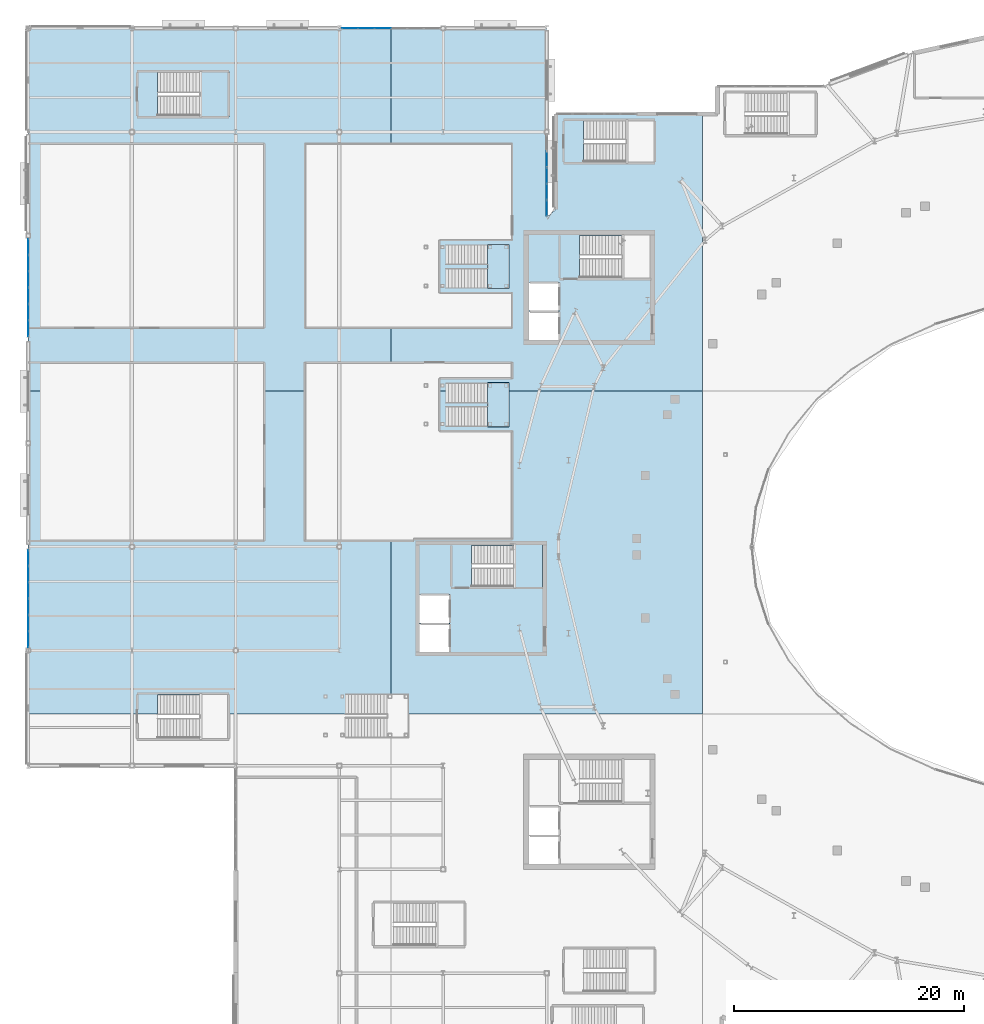
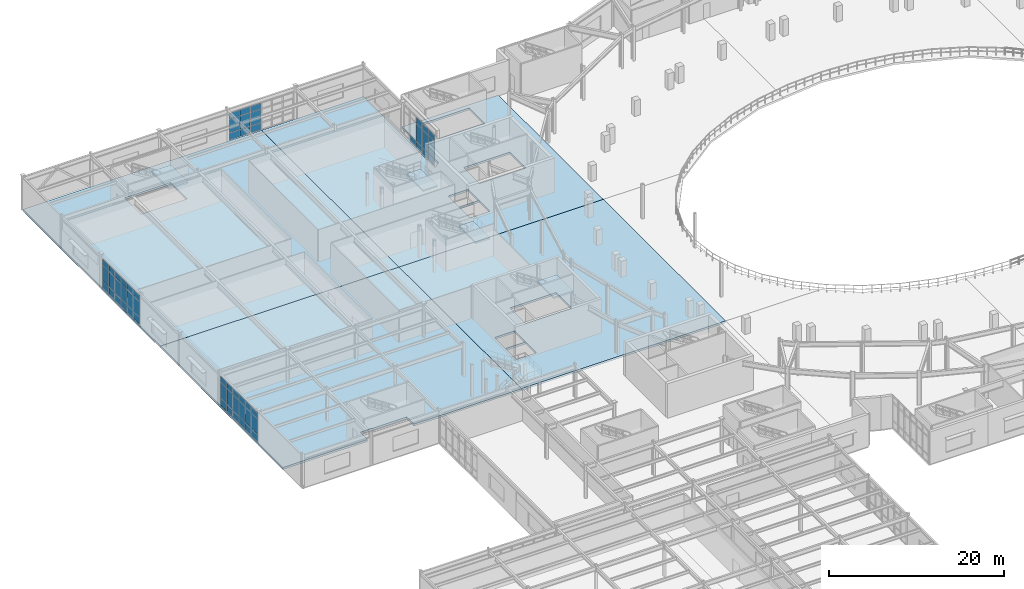
# One storey, part 52 of 84: 55 plates, 8 slabs, 8 elements without a shape of their own.
"""IFC4 building model written with IfcOpenShell, lengths in metres."""

from ifc_helpers import new_model, si_unit, direction, frame, origin, origin_2d, place, context, subcontext, project, spatial, polyline, rectangle, outline, extrude, material, layer, layer_set, type_object, element, aggregate, save


model = new_model("IFC4")

# Units and contexts
model_context = context("Model", 3, precision=1e-05, world=origin(), true_north=direction((0.0, 1.0)))
body_context = subcontext(model_context, "Body", "Model", "MODEL_VIEW")
ifc_project = project(units=[si_unit("LENGTHUNIT", "METRE"), si_unit("AREAUNIT", "SQUARE_METRE"), si_unit("VOLUMEUNIT", "CUBIC_METRE"), si_unit("PLANEANGLEUNIT", "RADIAN"), si_unit("MASSUNIT", "GRAM", prefix="KILO")], contexts=[model_context])

# Site, building, storey
site_placement = place(None, origin())
site = spatial("IfcSite", under=ifc_project, at=site_placement, CompositionType="ELEMENT")
building_placement = place(site_placement, origin())
building = spatial("IfcBuilding", under=site, at=building_placement, Name="Glasvene Arena", CompositionType="ELEMENT")
storey_placement = place(building_placement, frame((0.0, 0.0, 10.199951171875)))
storey = spatial("IfcBuildingStorey", under=building, at=storey_placement, Name="L02", CompositionType="ELEMENT", Elevation=10.199951171875)

# Curtain wall, plates
ifc_material_1 = material(Name="Low-emissivity laminated double glazing", Category="glass")
curtain_wall_type_1 = type_object("IfcCurtainWallType", Name="CW-FAC-L01-851x416", PredefinedType="USERDEFINED", material=ifc_material_1)
curtain_wall_1_placement = place(storey_placement, frame((0.0, 64.2451171875, 0.0)))
curtain_wall_1 = element("IfcCurtainWall", 1, at=curtain_wall_1_placement, inside=storey, type_object=curtain_wall_type_1, Name="Unitised curtain wall CW-F-L02-180-0-685-1", ObjectType="CURTAIN WALL", PredefinedType="USERDEFINED")
ifc_layer_1 = layer(ifc_material_1, 0.028076171875)
ifc_layer_set_1 = layer_set([ifc_layer_1], Name="Low-emissivity laminated double glazing")
plate_type = type_object("IfcPlateType", Name="CW-GLZ-28", PredefinedType="CURTAIN_PANEL", material=ifc_layer_set_1)
plate_1_placement = place(storey_placement, frame((0.0, 64.967041015625, 0.10986328125), z_axis=(0.0, 0.0, 1.0), x_axis=(0.0, 1.0, 0.0)))
plate_1 = element("IfcPlate", 2, at=plate_1_placement, type_object=plate_type, Name="CW-016 panel 1.1", PredefinedType="CURTAIN_PANEL", context=body_context, shape_type="SweptSolid", body=[
    extrude(rectangle(XDim=1.34375, YDim=0.028076171875, at=origin_2d()), origin(), (0.0, 0.0, 1.0), 0.965087890625),
])
plate_2_placement = place(storey_placement, frame((0.0, 64.967041015625, 1.125), z_axis=(0.0, 0.0, 1.0), x_axis=(0.0, 1.0, 0.0)))
plate_2 = element("IfcPlate", 3, at=plate_2_placement, type_object=plate_type, Name="CW-016 panel 1.2", PredefinedType="CURTAIN_PANEL", context=body_context, shape_type="SweptSolid", body=[
    extrude(rectangle(XDim=1.34375, YDim=0.028076171875, at=origin_2d()), origin(), (0.0, 0.0, 1.0), 2.1650390625),
])
plate_3_placement = place(storey_placement, frame((0.0, 64.967041015625, 3.33984375), z_axis=(0.0, 0.0, 1.0), x_axis=(0.0, 1.0, 0.0)))
plate_3 = element("IfcPlate", 4, at=plate_3_placement, type_object=plate_type, Name="CW-016 panel 1.3", PredefinedType="CURTAIN_PANEL", context=body_context, shape_type="SweptSolid", body=[
    extrude(rectangle(XDim=1.34375, YDim=0.028076171875, at=origin_2d()), origin(), (0.0, 0.0, 1.0), 0.824951171875),
])
plate_4_placement = place(storey_placement, frame((0.0, 66.373291015625, 0.10986328125), z_axis=(0.0, 0.0, 1.0), x_axis=(0.0, 1.0, 0.0)))
plate_4 = element("IfcPlate", 5, at=plate_4_placement, type_object=plate_type, Name="CW-016 panel 2.1", PredefinedType="CURTAIN_PANEL", context=body_context, shape_type="SweptSolid", body=[
    extrude(rectangle(XDim=1.368896484375, YDim=0.028076171875, at=origin_2d()), origin(), (0.0, 0.0, 1.0), 0.965087890625),
])
plate_5_placement = place(storey_placement, frame((0.0, 66.373291015625, 1.125), z_axis=(0.0, 0.0, 1.0), x_axis=(0.0, 1.0, 0.0)))
plate_5 = element("IfcPlate", 6, at=plate_5_placement, type_object=plate_type, Name="CW-016 panel 2.2", PredefinedType="CURTAIN_PANEL", context=body_context, shape_type="SweptSolid", body=[
    extrude(rectangle(XDim=1.368896484375, YDim=0.028076171875, at=origin_2d()), origin(), (0.0, 0.0, 1.0), 2.1650390625),
])
plate_6_placement = place(storey_placement, frame((0.0, 66.373291015625, 3.33984375), z_axis=(0.0, 0.0, 1.0), x_axis=(0.0, 1.0, 0.0)))
plate_6 = element("IfcPlate", 7, at=plate_6_placement, type_object=plate_type, Name="CW-016 panel 2.3", PredefinedType="CURTAIN_PANEL", context=body_context, shape_type="SweptSolid", body=[
    extrude(rectangle(XDim=1.368896484375, YDim=0.028076171875, at=origin_2d()), origin(), (0.0, 0.0, 1.0), 0.824951171875),
])
plate_7_placement = place(storey_placement, frame((0.0, 67.792236328125, 0.10986328125), z_axis=(0.0, 0.0, 1.0), x_axis=(0.0, 1.0, 0.0)))
plate_7 = element("IfcPlate", 8, at=plate_7_placement, type_object=plate_type, Name="CW-016 panel 3.1", PredefinedType="CURTAIN_PANEL", context=body_context, shape_type="SweptSolid", body=[
    extrude(rectangle(XDim=1.368896484375, YDim=0.028076171875, at=origin_2d()), origin(), (0.0, 0.0, 1.0), 0.965087890625),
])
plate_8_placement = place(storey_placement, frame((0.0, 67.792236328125, 1.125), z_axis=(0.0, 0.0, 1.0), x_axis=(0.0, 1.0, 0.0)))
plate_8 = element("IfcPlate", 9, at=plate_8_placement, type_object=plate_type, Name="CW-016 panel 3.2", PredefinedType="CURTAIN_PANEL", context=body_context, shape_type="SweptSolid", body=[
    extrude(rectangle(XDim=1.368896484375, YDim=0.028076171875, at=origin_2d()), origin(), (0.0, 0.0, 1.0), 2.1650390625),
])
plate_9_placement = place(storey_placement, frame((0.0, 67.792236328125, 3.33984375), z_axis=(0.0, 0.0, 1.0), x_axis=(0.0, 1.0, 0.0)))
plate_9 = element("IfcPlate", 10, at=plate_9_placement, type_object=plate_type, Name="CW-016 panel 3.3", PredefinedType="CURTAIN_PANEL", context=body_context, shape_type="SweptSolid", body=[
    extrude(rectangle(XDim=1.368896484375, YDim=0.028076171875, at=origin_2d()), origin(), (0.0, 0.0, 1.0), 0.824951171875),
])
plate_10_placement = place(storey_placement, frame((0.0, 69.2109375, 0.10986328125), z_axis=(0.0, 0.0, 1.0), x_axis=(0.0, 1.0, 0.0)))
plate_10 = element("IfcPlate", 11, at=plate_10_placement, type_object=plate_type, Name="CW-016 panel 4.1", PredefinedType="CURTAIN_PANEL", context=body_context, shape_type="SweptSolid", body=[
    extrude(rectangle(XDim=1.368896484375, YDim=0.028076171875, at=origin_2d()), origin(), (0.0, 0.0, 1.0), 0.965087890625),
])
plate_11_placement = place(storey_placement, frame((0.0, 69.2109375, 1.125), z_axis=(0.0, 0.0, 1.0), x_axis=(0.0, 1.0, 0.0)))
plate_11 = element("IfcPlate", 12, at=plate_11_placement, type_object=plate_type, Name="CW-016 panel 4.2", PredefinedType="CURTAIN_PANEL", context=body_context, shape_type="SweptSolid", body=[
    extrude(rectangle(XDim=1.368896484375, YDim=0.028076171875, at=origin_2d()), origin(), (0.0, 0.0, 1.0), 2.1650390625),
])
plate_12_placement = place(storey_placement, frame((0.0, 69.2109375, 3.33984375), z_axis=(0.0, 0.0, 1.0), x_axis=(0.0, 1.0, 0.0)))
plate_12 = element("IfcPlate", 13, at=plate_12_placement, type_object=plate_type, Name="CW-016 panel 4.3", PredefinedType="CURTAIN_PANEL", context=body_context, shape_type="SweptSolid", body=[
    extrude(rectangle(XDim=1.368896484375, YDim=0.028076171875, at=origin_2d()), origin(), (0.0, 0.0, 1.0), 0.824951171875),
])
plate_13_placement = place(storey_placement, frame((0.0, 70.6298828125, 0.10986328125), z_axis=(0.0, 0.0, 1.0), x_axis=(0.0, 1.0, 0.0)))
plate_13 = element("IfcPlate", 14, at=plate_13_placement, type_object=plate_type, Name="CW-016 panel 5.1", PredefinedType="CURTAIN_PANEL", context=body_context, shape_type="SweptSolid", body=[
    extrude(rectangle(XDim=1.368896484375, YDim=0.028076171875, at=origin_2d()), origin(), (0.0, 0.0, 1.0), 0.965087890625),
])
plate_14_placement = place(storey_placement, frame((0.0, 70.6298828125, 1.125), z_axis=(0.0, 0.0, 1.0), x_axis=(0.0, 1.0, 0.0)))
plate_14 = element("IfcPlate", 15, at=plate_14_placement, type_object=plate_type, Name="CW-016 panel 5.2", PredefinedType="CURTAIN_PANEL", context=body_context, shape_type="SweptSolid", body=[
    extrude(rectangle(XDim=1.368896484375, YDim=0.028076171875, at=origin_2d()), origin(), (0.0, 0.0, 1.0), 2.1650390625),
])
plate_15_placement = place(storey_placement, frame((0.0, 70.6298828125, 3.33984375), z_axis=(0.0, 0.0, 1.0), x_axis=(0.0, 1.0, 0.0)))
plate_15 = element("IfcPlate", 16, at=plate_15_placement, type_object=plate_type, Name="CW-016 panel 5.3", PredefinedType="CURTAIN_PANEL", context=body_context, shape_type="SweptSolid", body=[
    extrude(rectangle(XDim=1.368896484375, YDim=0.028076171875, at=origin_2d()), origin(), (0.0, 0.0, 1.0), 0.824951171875),
])
plate_16_placement = place(storey_placement, frame((0.0, 72.0361328125, 0.10986328125), z_axis=(0.0, 0.0, 1.0), x_axis=(0.0, 1.0, 0.0)))
plate_16 = element("IfcPlate", 17, at=plate_16_placement, type_object=plate_type, Name="CW-016 panel 6.1", PredefinedType="CURTAIN_PANEL", context=body_context, shape_type="SweptSolid", body=[
    extrude(rectangle(XDim=1.34375, YDim=0.028076171875, at=origin_2d()), origin(), (0.0, 0.0, 1.0), 0.965087890625),
])
plate_17_placement = place(storey_placement, frame((0.0, 72.0361328125, 1.125), z_axis=(0.0, 0.0, 1.0), x_axis=(0.0, 1.0, 0.0)))
plate_17 = element("IfcPlate", 18, at=plate_17_placement, type_object=plate_type, Name="CW-016 panel 6.2", PredefinedType="CURTAIN_PANEL", context=body_context, shape_type="SweptSolid", body=[
    extrude(rectangle(XDim=1.34375, YDim=0.028076171875, at=origin_2d()), origin(), (0.0, 0.0, 1.0), 2.1650390625),
])
plate_18_placement = place(storey_placement, frame((0.0, 72.0361328125, 3.33984375), z_axis=(0.0, 0.0, 1.0), x_axis=(0.0, 1.0, 0.0)))
plate_18 = element("IfcPlate", 19, at=plate_18_placement, type_object=plate_type, Name="CW-016 panel 6.3", PredefinedType="CURTAIN_PANEL", context=body_context, shape_type="SweptSolid", body=[
    extrude(rectangle(XDim=1.34375, YDim=0.028076171875, at=origin_2d()), origin(), (0.0, 0.0, 1.0), 0.824951171875),
])
aggregate(curtain_wall_1, [plate_1, plate_2, plate_3, plate_4, plate_5, plate_6, plate_7, plate_8, plate_9, plate_10, plate_11, plate_12, plate_13, plate_14, plate_15, plate_16, plate_17, plate_18])

curtain_wall_2_placement = place(storey_placement, frame((0.0, 91.241943359375, 0.0)))
curtain_wall_2 = element("IfcCurtainWall", 20, at=curtain_wall_2_placement, inside=storey, type_object=curtain_wall_type_1, Name="Unitised curtain wall CW-F-L02-180-0-955-4", ObjectType="CURTAIN WALL", PredefinedType="USERDEFINED")
plate_19_placement = place(storey_placement, frame((0.0, 91.9638671875, 0.10986328125), z_axis=(0.0, 0.0, 1.0), x_axis=(0.0, 1.0, 0.0)))
plate_19 = element("IfcPlate", 21, at=plate_19_placement, type_object=plate_type, Name="CW-016 panel 1.1", PredefinedType="CURTAIN_PANEL", context=body_context, shape_type="SweptSolid", body=[
    extrude(rectangle(XDim=1.34375, YDim=0.028076171875, at=origin_2d()), origin(), (0.0, 0.0, 1.0), 0.965087890625),
])
plate_20_placement = place(storey_placement, frame((0.0, 91.9638671875, 1.125), z_axis=(0.0, 0.0, 1.0), x_axis=(0.0, 1.0, 0.0)))
plate_20 = element("IfcPlate", 22, at=plate_20_placement, type_object=plate_type, Name="CW-016 panel 1.2", PredefinedType="CURTAIN_PANEL", context=body_context, shape_type="SweptSolid", body=[
    extrude(rectangle(XDim=1.34375, YDim=0.028076171875, at=origin_2d()), origin(), (0.0, 0.0, 1.0), 2.1650390625),
])
plate_21_placement = place(storey_placement, frame((0.0, 91.9638671875, 3.33984375), z_axis=(0.0, 0.0, 1.0), x_axis=(0.0, 1.0, 0.0)))
plate_21 = element("IfcPlate", 23, at=plate_21_placement, type_object=plate_type, Name="CW-016 panel 1.3", PredefinedType="CURTAIN_PANEL", context=body_context, shape_type="SweptSolid", body=[
    extrude(rectangle(XDim=1.34375, YDim=0.028076171875, at=origin_2d()), origin(), (0.0, 0.0, 1.0), 0.824951171875),
])
plate_22_placement = place(storey_placement, frame((0.0, 93.3701171875, 0.10986328125), z_axis=(0.0, 0.0, 1.0), x_axis=(0.0, 1.0, 0.0)))
plate_22 = element("IfcPlate", 24, at=plate_22_placement, type_object=plate_type, Name="CW-016 panel 2.1", PredefinedType="CURTAIN_PANEL", context=body_context, shape_type="SweptSolid", body=[
    extrude(rectangle(XDim=1.368896484375, YDim=0.028076171875, at=origin_2d()), origin(), (0.0, 0.0, 1.0), 0.965087890625),
])
plate_23_placement = place(storey_placement, frame((0.0, 93.3701171875, 1.125), z_axis=(0.0, 0.0, 1.0), x_axis=(0.0, 1.0, 0.0)))
plate_23 = element("IfcPlate", 25, at=plate_23_placement, type_object=plate_type, Name="CW-016 panel 2.2", PredefinedType="CURTAIN_PANEL", context=body_context, shape_type="SweptSolid", body=[
    extrude(rectangle(XDim=1.368896484375, YDim=0.028076171875, at=origin_2d()), origin(), (0.0, 0.0, 1.0), 2.1650390625),
])
plate_24_placement = place(storey_placement, frame((0.0, 93.3701171875, 3.33984375), z_axis=(0.0, 0.0, 1.0), x_axis=(0.0, 1.0, 0.0)))
plate_24 = element("IfcPlate", 26, at=plate_24_placement, type_object=plate_type, Name="CW-016 panel 2.3", PredefinedType="CURTAIN_PANEL", context=body_context, shape_type="SweptSolid", body=[
    extrude(rectangle(XDim=1.368896484375, YDim=0.028076171875, at=origin_2d()), origin(), (0.0, 0.0, 1.0), 0.824951171875),
])
plate_25_placement = place(storey_placement, frame((0.0, 94.7890625, 0.10986328125), z_axis=(0.0, 0.0, 1.0), x_axis=(0.0, 1.0, 0.0)))
plate_25 = element("IfcPlate", 27, at=plate_25_placement, type_object=plate_type, Name="CW-016 panel 3.1", PredefinedType="CURTAIN_PANEL", context=body_context, shape_type="SweptSolid", body=[
    extrude(rectangle(XDim=1.368896484375, YDim=0.028076171875, at=origin_2d()), origin(), (0.0, 0.0, 1.0), 0.965087890625),
])
plate_26_placement = place(storey_placement, frame((0.0, 94.7890625, 1.125), z_axis=(0.0, 0.0, 1.0), x_axis=(0.0, 1.0, 0.0)))
plate_26 = element("IfcPlate", 28, at=plate_26_placement, type_object=plate_type, Name="CW-016 panel 3.2", PredefinedType="CURTAIN_PANEL", context=body_context, shape_type="SweptSolid", body=[
    extrude(rectangle(XDim=1.368896484375, YDim=0.028076171875, at=origin_2d()), origin(), (0.0, 0.0, 1.0), 2.1650390625),
])
plate_27_placement = place(storey_placement, frame((0.0, 94.7890625, 3.33984375), z_axis=(0.0, 0.0, 1.0), x_axis=(0.0, 1.0, 0.0)))
plate_27 = element("IfcPlate", 29, at=plate_27_placement, type_object=plate_type, Name="CW-016 panel 3.3", PredefinedType="CURTAIN_PANEL", context=body_context, shape_type="SweptSolid", body=[
    extrude(rectangle(XDim=1.368896484375, YDim=0.028076171875, at=origin_2d()), origin(), (0.0, 0.0, 1.0), 0.824951171875),
])
plate_28_placement = place(storey_placement, frame((0.0, 96.207763671875, 0.10986328125), z_axis=(0.0, 0.0, 1.0), x_axis=(0.0, 1.0, 0.0)))
plate_28 = element("IfcPlate", 30, at=plate_28_placement, type_object=plate_type, Name="CW-016 panel 4.1", PredefinedType="CURTAIN_PANEL", context=body_context, shape_type="SweptSolid", body=[
    extrude(rectangle(XDim=1.368896484375, YDim=0.028076171875, at=origin_2d()), origin(), (0.0, 0.0, 1.0), 0.965087890625),
])
plate_29_placement = place(storey_placement, frame((0.0, 96.207763671875, 1.125), z_axis=(0.0, 0.0, 1.0), x_axis=(0.0, 1.0, 0.0)))
plate_29 = element("IfcPlate", 31, at=plate_29_placement, type_object=plate_type, Name="CW-016 panel 4.2", PredefinedType="CURTAIN_PANEL", context=body_context, shape_type="SweptSolid", body=[
    extrude(rectangle(XDim=1.368896484375, YDim=0.028076171875, at=origin_2d()), origin(), (0.0, 0.0, 1.0), 2.1650390625),
])
plate_30_placement = place(storey_placement, frame((0.0, 96.207763671875, 3.33984375), z_axis=(0.0, 0.0, 1.0), x_axis=(0.0, 1.0, 0.0)))
plate_30 = element("IfcPlate", 32, at=plate_30_placement, type_object=plate_type, Name="CW-016 panel 4.3", PredefinedType="CURTAIN_PANEL", context=body_context, shape_type="SweptSolid", body=[
    extrude(rectangle(XDim=1.368896484375, YDim=0.028076171875, at=origin_2d()), origin(), (0.0, 0.0, 1.0), 0.824951171875),
])
plate_31_placement = place(storey_placement, frame((0.0, 97.626708984375, 0.10986328125), z_axis=(0.0, 0.0, 1.0), x_axis=(0.0, 1.0, 0.0)))
plate_31 = element("IfcPlate", 33, at=plate_31_placement, type_object=plate_type, Name="CW-016 panel 5.1", PredefinedType="CURTAIN_PANEL", context=body_context, shape_type="SweptSolid", body=[
    extrude(rectangle(XDim=1.368896484375, YDim=0.028076171875, at=origin_2d()), origin(), (0.0, 0.0, 1.0), 0.965087890625),
])
plate_32_placement = place(storey_placement, frame((0.0, 97.626708984375, 1.125), z_axis=(0.0, 0.0, 1.0), x_axis=(0.0, 1.0, 0.0)))
plate_32 = element("IfcPlate", 34, at=plate_32_placement, type_object=plate_type, Name="CW-016 panel 5.2", PredefinedType="CURTAIN_PANEL", context=body_context, shape_type="SweptSolid", body=[
    extrude(rectangle(XDim=1.368896484375, YDim=0.028076171875, at=origin_2d()), origin(), (0.0, 0.0, 1.0), 2.1650390625),
])
plate_33_placement = place(storey_placement, frame((0.0, 97.626708984375, 3.33984375), z_axis=(0.0, 0.0, 1.0), x_axis=(0.0, 1.0, 0.0)))
plate_33 = element("IfcPlate", 35, at=plate_33_placement, type_object=plate_type, Name="CW-016 panel 5.3", PredefinedType="CURTAIN_PANEL", context=body_context, shape_type="SweptSolid", body=[
    extrude(rectangle(XDim=1.368896484375, YDim=0.028076171875, at=origin_2d()), origin(), (0.0, 0.0, 1.0), 0.824951171875),
])
plate_34_placement = place(storey_placement, frame((0.0, 99.032958984375, 0.10986328125), z_axis=(0.0, 0.0, 1.0), x_axis=(0.0, 1.0, 0.0)))
plate_34 = element("IfcPlate", 36, at=plate_34_placement, type_object=plate_type, Name="CW-016 panel 6.1", PredefinedType="CURTAIN_PANEL", context=body_context, shape_type="SweptSolid", body=[
    extrude(rectangle(XDim=1.34375, YDim=0.028076171875, at=origin_2d()), origin(), (0.0, 0.0, 1.0), 0.965087890625),
])
plate_35_placement = place(storey_placement, frame((0.0, 99.032958984375, 1.125), z_axis=(0.0, 0.0, 1.0), x_axis=(0.0, 1.0, 0.0)))
plate_35 = element("IfcPlate", 37, at=plate_35_placement, type_object=plate_type, Name="CW-016 panel 6.2", PredefinedType="CURTAIN_PANEL", context=body_context, shape_type="SweptSolid", body=[
    extrude(rectangle(XDim=1.34375, YDim=0.028076171875, at=origin_2d()), origin(), (0.0, 0.0, 1.0), 2.1650390625),
])
plate_36_placement = place(storey_placement, frame((0.0, 99.032958984375, 3.33984375), z_axis=(0.0, 0.0, 1.0), x_axis=(0.0, 1.0, 0.0)))
plate_36 = element("IfcPlate", 38, at=plate_36_placement, type_object=plate_type, Name="CW-016 panel 6.3", PredefinedType="CURTAIN_PANEL", context=body_context, shape_type="SweptSolid", body=[
    extrude(rectangle(XDim=1.34375, YDim=0.028076171875, at=origin_2d()), origin(), (0.0, 0.0, 1.0), 0.824951171875),
])
aggregate(curtain_wall_2, [plate_19, plate_20, plate_21, plate_22, plate_23, plate_24, plate_25, plate_26, plate_27, plate_28, plate_29, plate_30, plate_31, plate_32, plate_33, plate_34, plate_35, plate_36])

curtain_wall_type_2 = type_object("IfcCurtainWallType", Name="CW-FAC-L01-856x385", PredefinedType="USERDEFINED", material=ifc_material_1)
curtain_wall_3_placement = place(storey_placement, frame((27.19189453125, 118.0, 0.0)))
curtain_wall_3 = element("IfcCurtainWall", 39, at=curtain_wall_3_placement, inside=storey, type_object=curtain_wall_type_2, Name="Unitised curtain wall CW-F-L02-150-315-1180-10", ObjectType="CURTAIN WALL", PredefinedType="USERDEFINED")
plate_37_placement = place(storey_placement, frame((27.91796875, 118.0, 0.10986328125), z_axis=(0.0, 0.0, 1.0), x_axis=(1.0, 0.0, 0.0)))
plate_37 = element("IfcPlate", 40, at=plate_37_placement, type_object=plate_type, Name="CW-017 panel 1.1", PredefinedType="CURTAIN_PANEL", context=body_context, shape_type="SweptSolid", body=[
    extrude(rectangle(XDim=1.35205078125, YDim=0.028076171875, at=origin_2d()), origin(), (0.0, 0.0, 1.0), 0.965087890625),
])
plate_38_placement = place(storey_placement, frame((27.91796875, 118.0, 1.125), z_axis=(0.0, 0.0, 1.0), x_axis=(1.0, 0.0, 0.0)))
plate_38 = element("IfcPlate", 41, at=plate_38_placement, type_object=plate_type, Name="CW-017 panel 1.2", PredefinedType="CURTAIN_PANEL", context=body_context, shape_type="SweptSolid", body=[
    extrude(rectangle(XDim=1.35205078125, YDim=0.028076171875, at=origin_2d()), origin(), (0.0, 0.0, 1.0), 1.85693359375),
])
plate_39_placement = place(storey_placement, frame((27.91796875, 118.0, 3.0322265625), z_axis=(0.0, 0.0, 1.0), x_axis=(1.0, 0.0, 0.0)))
plate_39 = element("IfcPlate", 42, at=plate_39_placement, type_object=plate_type, Name="CW-017 panel 1.3", PredefinedType="CURTAIN_PANEL", context=body_context, shape_type="SweptSolid", body=[
    extrude(rectangle(XDim=1.35205078125, YDim=0.028076171875, at=origin_2d()), origin(), (0.0, 0.0, 1.0), 0.824951171875),
])
plate_40_placement = place(storey_placement, frame((29.332763671875, 118.0, 0.10986328125), z_axis=(0.0, 0.0, 1.0), x_axis=(1.0, 0.0, 0.0)))
plate_40 = element("IfcPlate", 43, at=plate_40_placement, type_object=plate_type, Name="CW-017 panel 2.1", PredefinedType="CURTAIN_PANEL", context=body_context, shape_type="SweptSolid", body=[
    extrude(rectangle(XDim=1.377197265625, YDim=0.028076171875, at=origin_2d()), origin(), (0.0, 0.0, 1.0), 0.965087890625),
])
plate_41_placement = place(storey_placement, frame((29.332763671875, 118.0, 1.125), z_axis=(0.0, 0.0, 1.0), x_axis=(1.0, 0.0, 0.0)))
plate_41 = element("IfcPlate", 44, at=plate_41_placement, type_object=plate_type, Name="CW-017 panel 2.2", PredefinedType="CURTAIN_PANEL", context=body_context, shape_type="SweptSolid", body=[
    extrude(rectangle(XDim=1.377197265625, YDim=0.028076171875, at=origin_2d()), origin(), (0.0, 0.0, 1.0), 1.85693359375),
])
plate_42_placement = place(storey_placement, frame((29.332763671875, 118.0, 3.0322265625), z_axis=(0.0, 0.0, 1.0), x_axis=(1.0, 0.0, 0.0)))
plate_42 = element("IfcPlate", 45, at=plate_42_placement, type_object=plate_type, Name="CW-017 panel 2.3", PredefinedType="CURTAIN_PANEL", context=body_context, shape_type="SweptSolid", body=[
    extrude(rectangle(XDim=1.377197265625, YDim=0.028076171875, at=origin_2d()), origin(), (0.0, 0.0, 1.0), 0.824951171875),
])
plate_43_placement = place(storey_placement, frame((30.759765625, 118.0, 0.10986328125), z_axis=(0.0, 0.0, 1.0), x_axis=(1.0, 0.0, 0.0)))
plate_43 = element("IfcPlate", 46, at=plate_43_placement, type_object=plate_type, Name="CW-017 panel 3.1", PredefinedType="CURTAIN_PANEL", context=body_context, shape_type="SweptSolid", body=[
    extrude(rectangle(XDim=1.377197265625, YDim=0.028076171875, at=origin_2d()), origin(), (0.0, 0.0, 1.0), 0.965087890625),
])
plate_44_placement = place(storey_placement, frame((30.759765625, 118.0, 1.125), z_axis=(0.0, 0.0, 1.0), x_axis=(1.0, 0.0, 0.0)))
plate_44 = element("IfcPlate", 47, at=plate_44_placement, type_object=plate_type, Name="CW-017 panel 3.2", PredefinedType="CURTAIN_PANEL", context=body_context, shape_type="SweptSolid", body=[
    extrude(rectangle(XDim=1.377197265625, YDim=0.028076171875, at=origin_2d()), origin(), (0.0, 0.0, 1.0), 1.85693359375),
])
plate_45_placement = place(storey_placement, frame((30.759765625, 118.0, 3.0322265625), z_axis=(0.0, 0.0, 1.0), x_axis=(1.0, 0.0, 0.0)))
plate_45 = element("IfcPlate", 48, at=plate_45_placement, type_object=plate_type, Name="CW-017 panel 3.3", PredefinedType="CURTAIN_PANEL", context=body_context, shape_type="SweptSolid", body=[
    extrude(rectangle(XDim=1.377197265625, YDim=0.028076171875, at=origin_2d()), origin(), (0.0, 0.0, 1.0), 0.824951171875),
])
aggregate(curtain_wall_3, [plate_37, plate_38, plate_39, plate_40, plate_41, plate_42, plate_43, plate_44, plate_45])

curtain_wall_type_3 = type_object("IfcCurtainWallType", Name="CW-FAC-L02-708x446", PredefinedType="USERDEFINED", material=ifc_material_1)
curtain_wall_4_placement = place(storey_placement, frame((45.0, 108.7548828125, 0.0)))
curtain_wall_4 = element("IfcCurtainWall", 49, at=curtain_wall_4_placement, inside=storey, type_object=curtain_wall_type_3, Name="Unitised curtain wall CW-F-L02-180-450-1052-13", ObjectType="CURTAIN WALL", PredefinedType="USERDEFINED")
plate_46_placement = place(storey_placement, frame((45.0, 106.629638671875, 0.10986328125), z_axis=(0.0, 0.0, 1.0), x_axis=(0.0, -1.0, 0.0)))
plate_46 = element("IfcPlate", 50, at=plate_46_placement, type_object=plate_type, Name="CW-020 panel 2.1", PredefinedType="CURTAIN_PANEL", context=body_context, shape_type="SweptSolid", body=[
    extrude(rectangle(XDim=1.36669921875, YDim=0.028076171875, at=origin_2d()), origin(), (0.0, 0.0, 1.0), 0.965087890625),
])
plate_47_placement = place(storey_placement, frame((45.0, 105.212890625, 0.10986328125), z_axis=(0.0, 0.0, 1.0), x_axis=(0.0, -1.0, 0.0)))
plate_47 = element("IfcPlate", 51, at=plate_47_placement, type_object=plate_type, Name="CW-020 panel 3.1", PredefinedType="CURTAIN_PANEL", context=body_context, shape_type="SweptSolid", body=[
    extrude(rectangle(XDim=1.36669921875, YDim=0.028076171875, at=origin_2d()), origin(), (0.0, 0.0, 1.0), 0.965087890625),
])
plate_48_placement = place(storey_placement, frame((45.0, 105.212890625, 1.125), z_axis=(0.0, 0.0, 1.0), x_axis=(0.0, -1.0, 0.0)))
plate_48 = element("IfcPlate", 52, at=plate_48_placement, type_object=plate_type, Name="CW-020 panel 3.2", PredefinedType="CURTAIN_PANEL", context=body_context, shape_type="SweptSolid", body=[
    extrude(rectangle(XDim=1.36669921875, YDim=0.028076171875, at=origin_2d()), origin(), (0.0, 0.0, 1.0), 2.469970703125),
])
plate_49_placement = place(storey_placement, frame((45.0, 105.212890625, 3.64501953125), z_axis=(0.0, 0.0, 1.0), x_axis=(0.0, -1.0, 0.0)))
plate_49 = element("IfcPlate", 53, at=plate_49_placement, type_object=plate_type, Name="CW-020 panel 3.3", PredefinedType="CURTAIN_PANEL", context=body_context, shape_type="SweptSolid", body=[
    extrude(rectangle(XDim=1.36669921875, YDim=0.028076171875, at=origin_2d()), origin(), (0.0, 0.0, 1.0), 0.824951171875),
])
plate_50_placement = place(storey_placement, frame((45.0, 103.796142578125, 0.10986328125), z_axis=(0.0, 0.0, 1.0), x_axis=(0.0, -1.0, 0.0)))
plate_50 = element("IfcPlate", 54, at=plate_50_placement, type_object=plate_type, Name="CW-020 panel 4.1", PredefinedType="CURTAIN_PANEL", context=body_context, shape_type="SweptSolid", body=[
    extrude(rectangle(XDim=1.36669921875, YDim=0.028076171875, at=origin_2d()), origin(), (0.0, 0.0, 1.0), 0.965087890625),
])
plate_51_placement = place(storey_placement, frame((45.0, 103.796142578125, 1.125), z_axis=(0.0, 0.0, 1.0), x_axis=(0.0, -1.0, 0.0)))
plate_51 = element("IfcPlate", 55, at=plate_51_placement, type_object=plate_type, Name="CW-020 panel 4.2", PredefinedType="CURTAIN_PANEL", context=body_context, shape_type="SweptSolid", body=[
    extrude(rectangle(XDim=1.36669921875, YDim=0.028076171875, at=origin_2d()), origin(), (0.0, 0.0, 1.0), 2.469970703125),
])
plate_52_placement = place(storey_placement, frame((45.0, 103.796142578125, 3.64501953125), z_axis=(0.0, 0.0, 1.0), x_axis=(0.0, -1.0, 0.0)))
plate_52 = element("IfcPlate", 56, at=plate_52_placement, type_object=plate_type, Name="CW-020 panel 4.3", PredefinedType="CURTAIN_PANEL", context=body_context, shape_type="SweptSolid", body=[
    extrude(rectangle(XDim=1.36669921875, YDim=0.028076171875, at=origin_2d()), origin(), (0.0, 0.0, 1.0), 0.824951171875),
])
plate_53_placement = place(storey_placement, frame((45.0, 102.391845703125, 0.10986328125), z_axis=(0.0, 0.0, 1.0), x_axis=(0.0, -1.0, 0.0)))
plate_53 = element("IfcPlate", 57, at=plate_53_placement, type_object=plate_type, Name="CW-020 panel 5.1", PredefinedType="CURTAIN_PANEL", context=body_context, shape_type="SweptSolid", body=[
    extrude(rectangle(XDim=1.341796875, YDim=0.028076171875, at=origin_2d()), origin(), (0.0, 0.0, 1.0), 0.965087890625),
])
plate_54_placement = place(storey_placement, frame((45.0, 102.391845703125, 1.125), z_axis=(0.0, 0.0, 1.0), x_axis=(0.0, -1.0, 0.0)))
plate_54 = element("IfcPlate", 58, at=plate_54_placement, type_object=plate_type, Name="CW-020 panel 5.2", PredefinedType="CURTAIN_PANEL", context=body_context, shape_type="SweptSolid", body=[
    extrude(rectangle(XDim=1.341796875, YDim=0.028076171875, at=origin_2d()), origin(), (0.0, 0.0, 1.0), 2.469970703125),
])
plate_55_placement = place(storey_placement, frame((45.0, 102.391845703125, 3.64501953125), z_axis=(0.0, 0.0, 1.0), x_axis=(0.0, -1.0, 0.0)))
plate_55 = element("IfcPlate", 59, at=plate_55_placement, type_object=plate_type, Name="CW-020 panel 5.3", PredefinedType="CURTAIN_PANEL", context=body_context, shape_type="SweptSolid", body=[
    extrude(rectangle(XDim=1.341796875, YDim=0.028076171875, at=origin_2d()), origin(), (0.0, 0.0, 1.0), 0.824951171875),
])
aggregate(curtain_wall_4, [plate_46, plate_47, plate_48, plate_49, plate_50, plate_51, plate_52, plate_53, plate_54, plate_55])

# Slabs
ifc_material_2 = material(Name="Concrete C40/50", Category="concrete")
ifc_layer_2 = layer(ifc_material_2, 0.280029296875)
ifc_layer_set_2 = layer_set([ifc_layer_2], Name="Concrete C40/50")
slab_type_1 = type_object("IfcSlabType", Name="SL-CONC-280", PredefinedType="FLOOR", material=ifc_layer_set_2)
slab_1_placement = place(storey_placement, frame((15.00048828125, 65.91259765625, -0.280029296875)))
element("IfcSlab", 60, at=slab_1_placement, inside=storey, type_object=slab_type_1, Name="Structural floor slab L02 sector 3-1 (71)", PredefinedType="FLOOR", context=body_context, shape_type="SweptSolid", body=[
    extrude(outline(polyline([(16.49951171875, 20.58740234375), (16.49951171875, -7.41259765625), (2.299560546875, -7.41259765625), (2.299560546875, -5.7626953125), (-3.798583984375, -5.7626953125), (-3.798583984375, -7.41259765625), (-15.00048828125, -7.41259765625), (-15.00048828125, 20.58740234375), (16.49951171875, 20.58740234375)])), origin(), (0.0, 0.0, 1.0), 0.280029296875),
])
slab_2_placement = place(storey_placement, frame((45.0, 72.5, -0.280029296875)))
element("IfcSlab", 61, at=slab_2_placement, inside=storey, type_object=slab_type_1, Name="Structural floor slab L02 sector 3-2 (72)", PredefinedType="FLOOR", context=body_context, shape_type="SweptSolid", body=[
    extrude(outline(polyline([(-13.5, 14.0), (13.5, 14.0), (13.5, -14.0), (-13.5, -14.0), (-13.5, 14.0)]), holes=[polyline([(-8.39990234375, -6.199951171875), (-11.050048828125, -6.199951171875), (-11.050048828125, -8.64990234375), (-8.39990234375, -8.64990234375), (-8.39990234375, -6.199951171875)]), polyline([(-8.39990234375, -6.10009765625), (-8.39990234375, -3.64990234375), (-11.050048828125, -3.64990234375), (-11.050048828125, -6.10009765625), (-8.39990234375, -6.10009765625)]), polyline([(-0.449951171875, -2.949951171875), (-0.449951171875, 0.60009765625), (-6.548095703125, 0.60009765625), (-6.548095703125, -2.949951171875), (-0.449951171875, -2.949951171875)])]), origin(), (0.0, 0.0, 1.0), 0.280029296875),
])
slab_3_placement = place(storey_placement, frame((15.75, 102.25, -0.280029296875)))
element("IfcSlab", 62, at=slab_3_placement, inside=storey, type_object=slab_type_1, Name="Structural floor slab L02 sector 4-1 (76)", PredefinedType="FLOOR", context=body_context, shape_type="SweptSolid", body=[
    extrude(outline(polyline([(15.75, 15.75), (15.75, -15.75), (-15.75, -15.75), (-15.75, 15.75), (15.75, 15.75)]), holes=[polyline([(1.550048828125, 8.14990234375), (1.550048828125, 11.89990234375), (-4.548095703125, 11.89990234375), (-4.548095703125, 8.14990234375), (1.550048828125, 8.14990234375)])]), origin(), (0.0, 0.0, 1.0), 0.280029296875),
])
slab_4_placement = place(storey_placement, frame((45.199951171875, 104.25, -0.280029296875)))
element("IfcSlab", 63, at=slab_4_placement, inside=storey, type_object=slab_type_1, Name="Structural floor slab L02 sector 4-2 (77)", PredefinedType="FLOOR", context=body_context, shape_type="SweptSolid", body=[
    extrude(outline(polyline([(-0.199951171875, -2.619140625), (0.60009765625, -1.98095703125), (0.60009765625, 6.300048828125), (13.300048828125, 6.300048828125), (13.300048828125, -17.75), (-13.699951171875, -17.75), (-13.699951171875, 13.75), (-0.199951171875, 13.75), (-0.199951171875, -2.619140625)]), holes=[polyline([(0.900146484375, -13.300048828125), (0.900146484375, -10.85009765625), (-1.75, -10.85009765625), (-1.75, -13.300048828125), (0.900146484375, -13.300048828125)]), polyline([(0.900146484375, -10.75), (0.900146484375, -8.300048828125), (-1.75, -8.300048828125), (-1.75, -10.75), (0.900146484375, -10.75)]), polyline([(8.75, -7.89990234375), (8.75, -4.25), (2.652099609375, -4.25), (2.652099609375, -7.89990234375), (8.75, -7.89990234375)]), polyline([(9.10009765625, 2.14990234375), (9.10009765625, 5.699951171875), (3.001953125, 5.699951171875), (3.001953125, 2.14990234375), (9.10009765625, 2.14990234375)])]), origin(), (0.0, 0.0, 1.0), 0.280029296875),
])

# Stair, slab
stair_type_1 = type_object("IfcStairType", Name="ST-HT-480-165", PredefinedType="HALF_TURN_STAIR", material=ifc_material_2)
stair_1_placement = place(storey_placement, origin())
stair_1 = element("IfcStair", 64, at=stair_1_placement, inside=storey, type_object=stair_type_1, Name="Protected escape stair ST-07 (L02 to L03)", PredefinedType="HALF_TURN_STAIR")
ifc_layer_3 = layer(ifc_material_2, 0.219970703125)
ifc_layer_set_3 = layer_set([ifc_layer_3], Name="Concrete C40/50")
slab_type_2 = type_object("IfcSlabType", Name="SL-LAND-220", PredefinedType="LANDING", material=ifc_layer_set_3)
slab_5_placement = place(storey_placement, frame((43.3701171875, 71.324951171875, 2.179931640625)))
slab_5 = element("IfcSlab", 65, at=slab_5_placement, type_object=slab_type_2, Name="Protected escape stair ST-07 (L02 to L03) landing 1", PredefinedType="LANDING", context=body_context, shape_type="SweptSolid", body=[
    extrude(outline(polyline([(-1.280029296875, -1.875), (1.27978515625, -1.875), (1.27978515625, 1.875), (-1.280029296875, 1.875), (-1.280029296875, -1.875)])), origin(), (0.0, 0.0, 1.0), 0.22021484375),
])
aggregate(stair_1, [slab_5])

stair_type_2 = type_object("IfcStairType", Name="ST-HT-480-175", PredefinedType="HALF_TURN_STAIR", material=ifc_material_2)
stair_2_placement = place(storey_placement, origin())
stair_2 = element("IfcStair", 66, at=stair_2_placement, inside=storey, type_object=stair_type_2, Name="Protected escape stair ST-14 (L02 to L03)", PredefinedType="HALF_TURN_STAIR")
slab_6_placement = place(storey_placement, frame((16.1201171875, 112.27490234375, 2.179931640625)))
slab_6 = element("IfcSlab", 67, at=slab_6_placement, type_object=slab_type_2, Name="Protected escape stair ST-14 (L02 to L03) landing 1", PredefinedType="LANDING", context=body_context, shape_type="SweptSolid", body=[
    extrude(outline(polyline([(-1.280029296875, -1.974853515625), (1.27978515625, -1.974853515625), (1.27978515625, 1.97509765625), (-1.280029296875, 1.97509765625), (-1.280029296875, -1.974853515625)])), origin(), (0.0, 0.0, 1.0), 0.22021484375),
])
aggregate(stair_2, [slab_6])

stair_type_3 = type_object("IfcStairType", Name="ST-HT-480-180", PredefinedType="HALF_TURN_STAIR", material=ifc_material_2)
stair_3_placement = place(storey_placement, origin())
stair_3 = element("IfcStair", 68, at=stair_3_placement, inside=storey, type_object=stair_type_3, Name="Vomitory Stair VOM-06 (L02 to L03)", PredefinedType="HALF_TURN_STAIR")
slab_7_placement = place(storey_placement, frame((40.7900390625, 97.324951171875, 2.179931640625)))
slab_7 = element("IfcSlab", 69, at=slab_7_placement, type_object=slab_type_2, Name="Vomitory Stair VOM-06 (L02 to L03) landing 1", PredefinedType="LANDING", context=body_context, shape_type="SweptSolid", body=[
    extrude(outline(polyline([(-0.949951171875, -1.925048828125), (0.949951171875, -1.925048828125), (0.949951171875, 1.925048828125), (-0.949951171875, 1.925048828125), (-0.949951171875, -1.925048828125)])), origin(), (0.0, 0.0, 1.0), 0.22021484375),
])
aggregate(stair_3, [slab_7])

stair_4_placement = place(storey_placement, origin())
stair_4 = element("IfcStair", 70, at=stair_4_placement, inside=storey, type_object=stair_type_3, Name="Vomitory Stair VOM-07 (L02 to L03)", PredefinedType="HALF_TURN_STAIR")
slab_8_placement = place(storey_placement, frame((40.7900390625, 85.324951171875, 2.179931640625)))
slab_8 = element("IfcSlab", 71, at=slab_8_placement, type_object=slab_type_2, Name="Vomitory Stair VOM-07 (L02 to L03) landing 1", PredefinedType="LANDING", context=body_context, shape_type="SweptSolid", body=[
    extrude(outline(polyline([(-0.949951171875, -1.925048828125), (0.949951171875, -1.925048828125), (0.949951171875, 1.925048828125), (-0.949951171875, 1.925048828125), (-0.949951171875, -1.925048828125)])), origin(), (0.0, 0.0, 1.0), 0.22021484375),
])
aggregate(stair_4, [slab_8])

save(model, "model.ifc")
